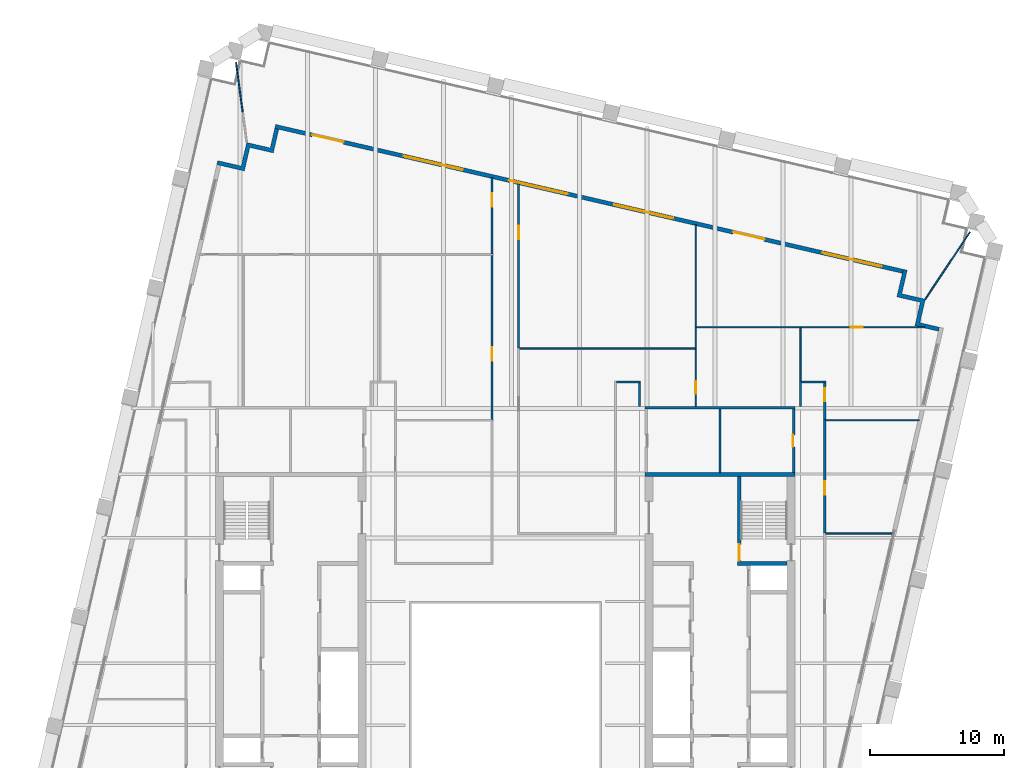
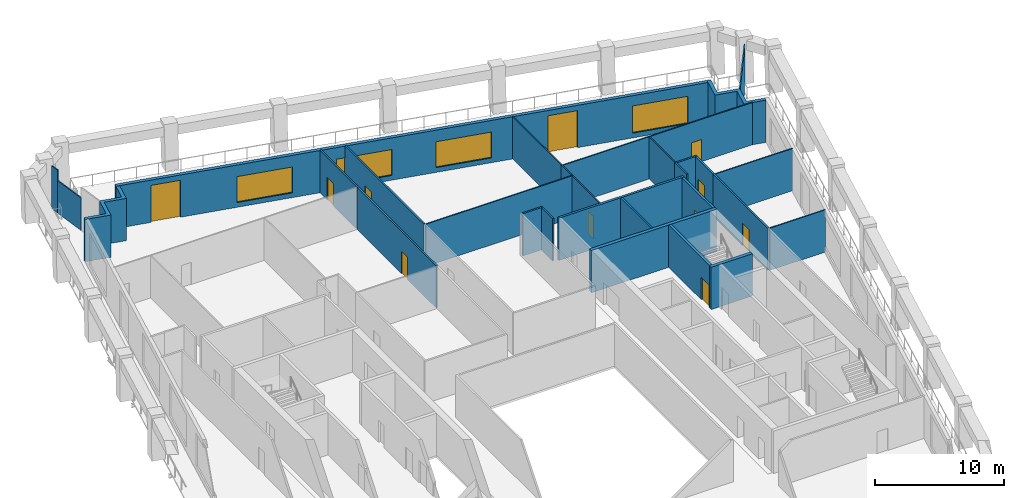
# One storey, part 7 of 10: 30 walls, 11 doors, 4 windows, 15 openings.
"""IFC4 building model written with IfcOpenShell, lengths in metres."""

from ifc_helpers import new_model, si_unit, direction, frame, frame_2d, origin, place, context, subcontext, project, spatial, polyline, rectangle, outline, extrude, material, layer, layer_set, type_object, element, fill, save


model = new_model("IFC4")

# Units and contexts
model_context = context("Model", 3, precision=1e-05, world=origin(), true_north=direction((0.0, 1.0)))
body_context = subcontext(model_context, "Body", "Model", "MODEL_VIEW")
ifc_project = project(units=[si_unit("LENGTHUNIT", "METRE"), si_unit("AREAUNIT", "SQUARE_METRE"), si_unit("VOLUMEUNIT", "CUBIC_METRE"), si_unit("PLANEANGLEUNIT", "RADIAN"), si_unit("MASSUNIT", "GRAM", prefix="KILO")], contexts=[model_context])

# Site, building, storey
site_placement = place(None, origin())
site = spatial("IfcSite", under=ifc_project, at=site_placement, CompositionType="ELEMENT")
building_placement = place(site_placement, origin())
building = spatial("IfcBuilding", under=site, at=building_placement, Name="Ogive Exchange Tower", CompositionType="ELEMENT")
storey_placement = place(building_placement, frame((0.0, 0.0, 280.800048828125)))
storey = spatial("IfcBuildingStorey", under=building, at=storey_placement, Name="L61", CompositionType="ELEMENT", Elevation=280.800048828125)

# Wall
ifc_material_1 = material(Name="Gypsum board partition")
ifc_layer_1 = layer(ifc_material_1, 0.14990234375)
ifc_layer_set_1 = layer_set([ifc_layer_1], Name="Core room partition 150 gypsum")
wall_type_1 = type_object("IfcWallType", Name="Core room partition 150 gypsum", PredefinedType="PARTITIONING", material=ifc_layer_set_1)
wall_1_placement = place(storey_placement, frame((16.0, 25.75, 0.0), z_axis=(0.0, 0.0, 1.0), x_axis=(0.0, 1.0, 0.0)))
element("IfcWall", 1, at=wall_1_placement, inside=storey, type_object=wall_type_1, Name="E annex N column wall", PredefinedType="PARTITIONING", context=body_context, shape_type="SweptSolid", body=[
    extrude(rectangle(XDim=4.75, YDim=0.14990234375, at=frame_2d((2.375, 0.0))), origin(), (0.0, 0.0, 1.0), 4.0),
])

# Wall, opening, door
ifc_material_2 = material(Name="Fire partition EI 60 150")
ifc_layer_2 = layer(ifc_material_2, 0.14990234375)
ifc_layer_set_2 = layer_set([ifc_layer_2], Name="Fire partition EI 60 150")
wall_type_2 = type_object("IfcWallType", Name="Fire partition EI 60 150", PredefinedType="PARTITIONING", material=ifc_layer_set_2)
wall_2_placement = place(storey_placement, frame((-0.989990234375, 29.7099609375, 0.0), z_axis=(0.0, 0.0, 1.0), x_axis=(0.0, 1.0, 0.0)))
wall_2 = element("IfcWall", 2, at=wall_2_placement, inside=storey, type_object=wall_type_2, Name="L61-PWL-025", PredefinedType="PARTITIONING", context=body_context, shape_type="SweptSolid", body=[
    extrude(rectangle(XDim=12.239990234375, YDim=0.14990234375, at=frame_2d((6.1201171875, 0.0))), origin(), (0.0, 0.0, 1.0), 4.0),
])
opening_1_placement = place(wall_2_placement, frame((4.389892578125, 0.0, 0.0)))
opening_1 = element("IfcOpeningElement", 3, at=opening_1_placement, cuts=wall_2, Name="Opening L61-I12", PredefinedType="OPENING", context=body_context, shape_type="SweptSolid", body=[
    extrude(rectangle(XDim=1.0, YDim=2.10009765625, at=frame_2d((0.5, 1.050048828125))), frame((0.0, 0.0849609375, 0.0), z_axis=(0.0, -1.0, 0.0), x_axis=(1.0, 0.0, 0.0)), (0.0, 0.0, 1.0), 0.169921875),
])
ifc_material_3 = material(Name="Fire door FD 30S 1000 x 2100")
door_type_1 = type_object("IfcDoorType", Name="Fire door FD 30S 1000 x 2100", OperationType="NOTDEFINED", PredefinedType="DOOR", material=ifc_material_3)
door_1_placement = place(opening_1_placement, origin())
door_1 = element("IfcDoor", 4, at=door_1_placement, inside=storey, type_object=door_type_1, Name="L61-IDR-012", ObjectType="DT3", OperationType="SINGLE_SWING_LEFT", OverallHeight=2.10009765625, OverallWidth=1.0, PredefinedType="DOOR", context=body_context, shape_type="SweptSolid", body=[
    extrude(rectangle(XDim=1.0, YDim=2.10009765625, at=frame_2d((0.5, 1.050048828125))), frame((0.0, 0.02490234375, 0.0), z_axis=(0.0, -1.0, 0.0), x_axis=(1.0, 0.0, 0.0)), (0.0, 0.0, 1.0), 0.050048828125),
])
fill(opening_1, door_1)

wall_3_placement = place(storey_placement, frame((-0.989990234375, 42.050048828125, 0.0), z_axis=(0.0, 0.0, 1.0), x_axis=(0.0, 1.0, 0.0)))
wall_3 = element("IfcWall", 5, at=wall_3_placement, inside=storey, type_object=wall_type_2, Name="L61-PWL-026", PredefinedType="PARTITIONING", context=body_context, shape_type="SweptSolid", body=[
    extrude(rectangle(XDim=5.702880859375, YDim=0.14990234375, at=frame_2d((2.8515625, 0.0))), origin(), (0.0, 0.0, 1.0), 4.0),
])
opening_2_placement = place(wall_3_placement, frame((3.530029296875, 0.0, 0.0)))
opening_2 = element("IfcOpeningElement", 6, at=opening_2_placement, cuts=wall_3, Name="Opening L61-I13", PredefinedType="OPENING", context=body_context, shape_type="SweptSolid", body=[
    extrude(rectangle(XDim=1.0, YDim=2.10009765625, at=frame_2d((0.5, 1.050048828125))), frame((0.0, 0.0849609375, 0.0), z_axis=(0.0, -1.0, 0.0), x_axis=(1.0, 0.0, 0.0)), (0.0, 0.0, 1.0), 0.169921875),
])
door_2_placement = place(opening_2_placement, origin())
door_2 = element("IfcDoor", 7, at=door_2_placement, inside=storey, type_object=door_type_1, Name="L61-IDR-013", ObjectType="DT3", OperationType="SINGLE_SWING_LEFT", OverallHeight=2.10009765625, OverallWidth=1.0, PredefinedType="DOOR", context=body_context, shape_type="SweptSolid", body=[
    extrude(rectangle(XDim=1.0, YDim=2.10009765625, at=frame_2d((0.5, 1.050048828125))), frame((0.0, 0.02490234375, 0.0), z_axis=(0.0, -1.0, 0.0), x_axis=(1.0, 0.0, 0.0)), (0.0, 0.0, 1.0), 0.050048828125),
])
fill(opening_2, door_2)

wall_4_placement = place(storey_placement, frame((0.989990234375, 47.2958984375, 0.0), z_axis=(0.0, 0.0, 1.0), x_axis=(0.0, -1.0, 0.0)))
wall_4 = element("IfcWall", 8, at=wall_4_placement, inside=storey, type_object=wall_type_2, Name="L61-PWL-030", PredefinedType="PARTITIONING", context=body_context, shape_type="SweptSolid", body=[
    extrude(rectangle(XDim=12.245849609375, YDim=0.14990234375, at=frame_2d((6.123046875, 0.0))), origin(), (0.0, 0.0, 1.0), 4.0),
])
opening_3_placement = place(wall_4_placement, frame((3.14599609375, 0.0, 0.0)))
opening_3 = element("IfcOpeningElement", 9, at=opening_3_placement, cuts=wall_4, Name="Opening L61-I03", PredefinedType="OPENING", context=body_context, shape_type="SweptSolid", body=[
    extrude(rectangle(XDim=1.0, YDim=2.10009765625, at=frame_2d((0.5, 1.050048828125))), frame((0.0, 0.0849609375, 0.0), z_axis=(0.0, -1.0, 0.0), x_axis=(1.0, 0.0, 0.0)), (0.0, 0.0, 1.0), 0.169921875),
])
door_3_placement = place(opening_3_placement, origin())
door_3 = element("IfcDoor", 10, at=door_3_placement, inside=storey, type_object=door_type_1, Name="L61-IDR-003", ObjectType="DT3", OperationType="SINGLE_SWING_RIGHT", OverallHeight=2.10009765625, OverallWidth=1.0, PredefinedType="DOOR", context=body_context, shape_type="SweptSolid", body=[
    extrude(rectangle(XDim=1.0, YDim=2.10009765625, at=frame_2d((0.5, 1.050048828125))), frame((0.0, 0.02490234375, 0.0), z_axis=(0.0, -1.0, 0.0), x_axis=(1.0, 0.0, 0.0)), (0.0, 0.0, 1.0), 0.050048828125),
])
fill(opening_3, door_3)

# Walls
wall_5_placement = place(storey_placement, frame((8.27490234375, 32.5, 0.0), z_axis=(0.0, 0.0, 1.0), x_axis=(1.0, 0.0, 0.0)))
element("IfcWall", 11, at=wall_5_placement, inside=storey, type_object=wall_type_2, Name="L61-PWL-032", PredefinedType="PARTITIONING", context=body_context, shape_type="SweptSolid", body=[
    extrude(rectangle(XDim=1.800048828125, YDim=0.14990234375, at=frame_2d((0.89990234375, 0.0))), origin(), (0.0, 0.0, 1.0), 4.0),
])
wall_6_placement = place(storey_placement, frame((10.0, 32.425048828125, 0.0), z_axis=(0.0, 0.0, 1.0), x_axis=(0.0, -1.0, 0.0)))
element("IfcWall", 12, at=wall_6_placement, inside=storey, type_object=wall_type_2, Name="L61-PWL-035", PredefinedType="PARTITIONING", context=body_context, shape_type="SweptSolid", body=[
    extrude(rectangle(XDim=1.72509765625, YDim=0.14990234375, at=frame_2d((0.862548828125, 0.0))), origin(), (0.0, 0.0, 1.0), 4.0),
])
wall_7_placement = place(storey_placement, frame((22.0, 30.699951171875, 0.0), z_axis=(0.0, 0.0, 1.0), x_axis=(0.0, 1.0, 0.0)))
element("IfcWall", 13, at=wall_7_placement, inside=storey, type_object=wall_type_2, Name="L61-PWL-041", PredefinedType="PARTITIONING", context=body_context, shape_type="SweptSolid", body=[
    extrude(rectangle(XDim=1.875, YDim=0.14990234375, at=frame_2d((0.9375, 0.0))), origin(), (0.0, 0.0, 1.0), 4.0),
])
wall_8_placement = place(storey_placement, frame((22.074951171875, 32.5, 0.0), z_axis=(0.0, 0.0, 1.0), x_axis=(1.0, 0.0, 0.0)))
element("IfcWall", 14, at=wall_8_placement, inside=storey, type_object=wall_type_2, Name="L61-PWL-042", PredefinedType="PARTITIONING", context=body_context, shape_type="SweptSolid", body=[
    extrude(rectangle(XDim=1.800048828125, YDim=0.14990234375, at=frame_2d((0.89990234375, 0.0))), origin(), (0.0, 0.0, 1.0), 4.0),
])

# Wall, opening, door
wall_9_placement = place(storey_placement, frame((23.800048828125, 29.7099609375, 0.0), z_axis=(0.0, 0.0, 1.0), x_axis=(0.0, -1.0, 0.0)))
wall_9 = element("IfcWall", 15, at=wall_9_placement, inside=storey, type_object=wall_type_2, Name="L61-PWL-049", PredefinedType="PARTITIONING", context=body_context, shape_type="SweptSolid", body=[
    extrude(rectangle(XDim=8.449951171875, YDim=0.14990234375, at=frame_2d((4.22509765625, 0.0))), origin(), (0.0, 0.0, 1.0), 4.0),
])
opening_4_placement = place(wall_9_placement, frame((4.60009765625, 0.0, 0.0)))
opening_4 = element("IfcOpeningElement", 16, at=opening_4_placement, cuts=wall_9, Name="Opening L61-I06", PredefinedType="OPENING", context=body_context, shape_type="SweptSolid", body=[
    extrude(rectangle(XDim=1.0, YDim=2.10009765625, at=frame_2d((0.5, 1.050048828125))), frame((0.0, 0.0849609375, 0.0), z_axis=(0.0, -1.0, 0.0), x_axis=(1.0, 0.0, 0.0)), (0.0, 0.0, 1.0), 0.169921875),
])
door_4_placement = place(opening_4_placement, origin())
door_4 = element("IfcDoor", 17, at=door_4_placement, inside=storey, type_object=door_type_1, Name="L61-IDR-006", ObjectType="DT3", OperationType="SINGLE_SWING_LEFT", OverallHeight=2.10009765625, OverallWidth=1.0, PredefinedType="DOOR", context=body_context, shape_type="SweptSolid", body=[
    extrude(rectangle(XDim=1.0, YDim=2.10009765625, at=frame_2d((0.5, 1.050048828125))), frame((0.0, 0.02490234375, 0.0), z_axis=(0.0, -1.0, 0.0), x_axis=(1.0, 0.0, 0.0)), (0.0, 0.0, 1.0), 0.050048828125),
])
fill(opening_4, door_4)

wall_10_placement = place(storey_placement, frame((23.800048828125, 32.425048828125, 0.0), z_axis=(0.0, 0.0, 1.0), x_axis=(0.0, -1.0, 0.0)))
wall_10 = element("IfcWall", 18, at=wall_10_placement, inside=storey, type_object=wall_type_2, Name="L61-PWL-051", PredefinedType="PARTITIONING", context=body_context, shape_type="SweptSolid", body=[
    extrude(rectangle(XDim=2.715087890625, YDim=0.14990234375, at=frame_2d((1.357421875, 0.0))), origin(), (0.0, 0.0, 1.0), 4.0),
])
opening_5_placement = place(wall_10_placement, frame((0.364990234375, 0.0, 0.0)))
opening_5 = element("IfcOpeningElement", 19, at=opening_5_placement, cuts=wall_10, Name="Opening L61-I07", PredefinedType="OPENING", context=body_context, shape_type="SweptSolid", body=[
    extrude(rectangle(XDim=1.0, YDim=2.10009765625, at=frame_2d((0.5, 1.050048828125))), frame((0.0, 0.0849609375, 0.0), z_axis=(0.0, -1.0, 0.0), x_axis=(1.0, 0.0, 0.0)), (0.0, 0.0, 1.0), 0.169921875),
])
door_5_placement = place(opening_5_placement, origin())
door_5 = element("IfcDoor", 20, at=door_5_placement, inside=storey, type_object=door_type_1, Name="L61-IDR-007", ObjectType="DT3", OperationType="SINGLE_SWING_LEFT", OverallHeight=2.10009765625, OverallWidth=1.0, PredefinedType="DOOR", context=body_context, shape_type="SweptSolid", body=[
    extrude(rectangle(XDim=1.0, YDim=2.10009765625, at=frame_2d((0.5, 1.050048828125))), frame((0.0, 0.02490234375, 0.0), z_axis=(0.0, -1.0, 0.0), x_axis=(1.0, 0.0, 0.0)), (0.0, 0.0, 1.0), 0.050048828125),
])
fill(opening_5, door_5)

# Wall, openings, doors, windows
ifc_material_4 = material(Name="Precast concrete C40/50", Category="concrete")
ifc_layer_3 = layer(ifc_material_4, 0.300048828125)
ifc_layer_set_3 = layer_set([ifc_layer_3], Name="Limestone-faced wall 300")
wall_type_3 = type_object("IfcWallType", Name="Limestone-faced wall 300", PredefinedType="STANDARD", material=ifc_layer_set_3)
wall_11_placement = place(storey_placement, frame((29.6162109375, 40.75830078125, 0.0), z_axis=(0.0, 0.0, 1.0), x_axis=(-0.974370532314, 0.224949029246, 0.0)))
wall_11 = element("IfcWall", 21, at=wall_11_placement, inside=storey, type_object=wall_type_3, Name="External wall N3", PredefinedType="STANDARD", context=body_context, shape_type="SweptSolid", body=[
    extrude(rectangle(XDim=48.000244140625, YDim=0.300048828125, at=frame_2d((24.0, 0.0))), origin(), (0.0, 0.0, 1.0), 4.0),
])
opening_6_placement = place(wall_11_placement, frame((1.625, 0.0, 0.449951171875)))
opening_6 = element("IfcOpeningElement", 22, at=opening_6_placement, cuts=wall_11, Name="Opening W1M", PredefinedType="OPENING", context=body_context, shape_type="SweptSolid", body=[
    extrude(rectangle(XDim=4.5, YDim=2.574951171875, at=frame_2d((2.25, 1.28759765625))), frame((0.0, 0.159912109375, 0.0), z_axis=(0.0, -1.0, 0.0), x_axis=(1.0, 0.0, 0.0)), (0.0, 0.0, 1.0), 0.320068359375),
])
opening_7_placement = place(wall_11_placement, frame((10.574951171875, 0.0, 0.0)))
opening_7 = element("IfcOpeningElement", 23, at=opening_7_placement, cuts=wall_11, Name="Opening D1", PredefinedType="OPENING", context=body_context, shape_type="SweptSolid", body=[
    extrude(rectangle(XDim=2.39990234375, YDim=3.5, at=frame_2d((1.199951171875, 1.75))), frame((0.0, 0.159912109375, 0.0), z_axis=(0.0, -1.0, 0.0), x_axis=(1.0, 0.0, 0.0)), (0.0, 0.0, 1.0), 0.320068359375),
])
opening_8_placement = place(wall_11_placement, frame((17.574951171875, 0.0, 0.449951171875)))
opening_8 = element("IfcOpeningElement", 24, at=opening_8_placement, cuts=wall_11, Name="Opening W1Q", PredefinedType="OPENING", context=body_context, shape_type="SweptSolid", body=[
    extrude(rectangle(XDim=4.5, YDim=2.449951171875, at=frame_2d((2.25, 1.22509765625))), frame((0.0, 0.159912109375, 0.0), z_axis=(0.0, -1.0, 0.0), x_axis=(1.0, 0.0, 0.0)), (0.0, 0.0, 1.0), 0.320068359375),
])
opening_9_placement = place(wall_11_placement, frame((25.625, 0.0, 0.449951171875)))
opening_9 = element("IfcOpeningElement", 25, at=opening_9_placement, cuts=wall_11, Name="Opening W1Q", PredefinedType="OPENING", context=body_context, shape_type="SweptSolid", body=[
    extrude(rectangle(XDim=4.5, YDim=2.449951171875, at=frame_2d((2.25, 1.22509765625))), frame((0.0, 0.159912109375, 0.0), z_axis=(0.0, -1.0, 0.0), x_axis=(1.0, 0.0, 0.0)), (0.0, 0.0, 1.0), 0.320068359375),
])
opening_10_placement = place(wall_11_placement, frame((33.675048828125, 0.0, 0.449951171875)))
opening_10 = element("IfcOpeningElement", 26, at=opening_10_placement, cuts=wall_11, Name="Opening W1Q", PredefinedType="OPENING", context=body_context, shape_type="SweptSolid", body=[
    extrude(rectangle(XDim=4.5, YDim=2.449951171875, at=frame_2d((2.25, 1.22509765625))), frame((0.0, 0.159912109375, 0.0), z_axis=(0.0, -1.0, 0.0), x_axis=(1.0, 0.0, 0.0)), (0.0, 0.0, 1.0), 0.320068359375),
])
opening_11_placement = place(wall_11_placement, frame((42.77490234375, 0.0, 0.0)))
opening_11 = element("IfcOpeningElement", 27, at=opening_11_placement, cuts=wall_11, Name="Opening D1", PredefinedType="OPENING", context=body_context, shape_type="SweptSolid", body=[
    extrude(rectangle(XDim=2.39990234375, YDim=3.5, at=frame_2d((1.199951171875, 1.75))), frame((0.0, 0.159912109375, 0.0), z_axis=(0.0, -1.0, 0.0), x_axis=(1.0, 0.0, 0.0)), (0.0, 0.0, 1.0), 0.320068359375),
])
ifc_material_5 = material(Name="Clear glass in bronze frame", Category="glass")
door_type_2 = type_object("IfcDoorType", Name="Sliding loggia door 2400 x 3500", OperationType="DOUBLE_DOOR_SLIDING", PredefinedType="DOOR", material=ifc_material_5)
door_6_placement = place(opening_7_placement, origin())
door_6 = element("IfcDoor", 28, at=door_6_placement, inside=storey, type_object=door_type_2, Name="Loggia door N01", OperationType="DOUBLE_DOOR_SLIDING", OverallHeight=3.5, OverallWidth=2.39990234375, PredefinedType="DOOR", context=body_context, shape_type="SweptSolid", body=[
    extrude(rectangle(XDim=2.39990234375, YDim=3.5, at=frame_2d((1.199951171875, 1.75))), frame((0.0, 0.02490234375, 0.0), z_axis=(0.0, -1.0, 0.0), x_axis=(1.0, 0.0, 0.0)), (0.0, 0.0, 1.0), 0.050048828125),
])
fill(opening_7, door_6)
door_7_placement = place(opening_11_placement, origin())
door_7 = element("IfcDoor", 29, at=door_7_placement, inside=storey, type_object=door_type_2, Name="Loggia door N05", OperationType="DOUBLE_DOOR_SLIDING", OverallHeight=3.5, OverallWidth=2.39990234375, PredefinedType="DOOR", context=body_context, shape_type="SweptSolid", body=[
    extrude(rectangle(XDim=2.39990234375, YDim=3.5, at=frame_2d((1.199951171875, 1.75))), frame((0.0, 0.02490234375, 0.0), z_axis=(0.0, -1.0, 0.0), x_axis=(1.0, 0.0, 0.0)), (0.0, 0.0, 1.0), 0.050048828125),
])
fill(opening_11, door_7)
window_type_1 = type_object("IfcWindowType", Name="Twin lancet window 4500 x 2450", PartitioningType="DOUBLE_PANEL_VERTICAL", PredefinedType="WINDOW", material=ifc_material_5)
window_1_placement = place(opening_8_placement, origin())
window_1 = element("IfcWindow", 30, at=window_1_placement, inside=storey, type_object=window_type_1, Name="Window N02", OverallHeight=2.449951171875, OverallWidth=4.5, PartitioningType="DOUBLE_PANEL_VERTICAL", PredefinedType="WINDOW", context=body_context, shape_type="SweptSolid", body=[
    extrude(rectangle(XDim=4.5, YDim=2.449951171875, at=frame_2d((2.25, 1.22509765625))), frame((0.0, 0.030029296875, 0.0), z_axis=(0.0, -1.0, 0.0), x_axis=(1.0, 0.0, 0.0)), (0.0, 0.0, 1.0), 0.06005859375),
])
fill(opening_8, window_1)
window_2_placement = place(opening_9_placement, origin())
window_2 = element("IfcWindow", 31, at=window_2_placement, inside=storey, type_object=window_type_1, Name="Window N03", OverallHeight=2.449951171875, OverallWidth=4.5, PartitioningType="DOUBLE_PANEL_VERTICAL", PredefinedType="WINDOW", context=body_context, shape_type="SweptSolid", body=[
    extrude(rectangle(XDim=4.5, YDim=2.449951171875, at=frame_2d((2.25, 1.22509765625))), frame((0.0, 0.030029296875, 0.0), z_axis=(0.0, -1.0, 0.0), x_axis=(1.0, 0.0, 0.0)), (0.0, 0.0, 1.0), 0.06005859375),
])
fill(opening_9, window_2)
window_3_placement = place(opening_10_placement, origin())
window_3 = element("IfcWindow", 32, at=window_3_placement, inside=storey, type_object=window_type_1, Name="Window N04", OverallHeight=2.449951171875, OverallWidth=4.5, PartitioningType="DOUBLE_PANEL_VERTICAL", PredefinedType="WINDOW", context=body_context, shape_type="SweptSolid", body=[
    extrude(rectangle(XDim=4.5, YDim=2.449951171875, at=frame_2d((2.25, 1.22509765625))), frame((0.0, 0.030029296875, 0.0), z_axis=(0.0, -1.0, 0.0), x_axis=(1.0, 0.0, 0.0)), (0.0, 0.0, 1.0), 0.06005859375),
])
fill(opening_10, window_3)
window_type_2 = type_object("IfcWindowType", Name="Twin lancet window 4500 x 2575", PartitioningType="DOUBLE_PANEL_VERTICAL", PredefinedType="WINDOW", material=ifc_material_5)
window_4_placement = place(opening_6_placement, origin())
window_4 = element("IfcWindow", 33, at=window_4_placement, inside=storey, type_object=window_type_2, Name="Window N00", OverallHeight=2.574951171875, OverallWidth=4.5, PartitioningType="DOUBLE_PANEL_VERTICAL", PredefinedType="WINDOW", context=body_context, shape_type="SweptSolid", body=[
    extrude(rectangle(XDim=4.5, YDim=2.574951171875, at=frame_2d((2.25, 1.28759765625))), frame((0.0, 0.030029296875, 0.0), z_axis=(0.0, -1.0, 0.0), x_axis=(1.0, 0.0, 0.0)), (0.0, 0.0, 1.0), 0.06005859375),
])
fill(opening_6, window_4)

# Walls
wall_12_placement = place(storey_placement, origin())
element("IfcWall", 34, at=wall_12_placement, inside=storey, type_object=wall_type_3, Name="External corner wall C2", PredefinedType="STANDARD", context=body_context, shape_type="SweptSolid", body=[
    extrude(outline(polyline([(30.931396484375, 38.453369140625), (29.177490234375, 38.8583984375), (29.64990234375, 40.904541015625), (29.942138671875, 40.8369140625), (29.537109375, 39.0830078125), (31.291015625, 38.67822265625), (30.88623046875, 36.92431640625), (32.34765625, 36.5869140625), (32.2802734375, 36.294677734375), (30.5263671875, 36.699462890625), (30.931396484375, 38.453369140625)])), origin(), (0.0, 0.0, 1.0), 4.0),
])
wall_13_placement = place(storey_placement, origin())
element("IfcWall", 35, at=wall_13_placement, inside=storey, type_object=wall_type_3, Name="External corner wall C3", PredefinedType="STANDARD", context=body_context, shape_type="SweptSolid", body=[
    extrude(outline(polyline([(-21.5048828125, 48.7119140625), (-21.4375, 49.004150390625), (-19.68359375, 48.599365234375), (-19.27880859375, 50.353271484375), (-17.52490234375, 49.9482421875), (-17.1875, 51.409912109375), (-16.89501953125, 51.34228515625), (-17.300048828125, 49.58837890625), (-19.053955078125, 49.993408203125), (-19.458740234375, 48.239501953125), (-21.5048828125, 48.7119140625)])), origin(), (0.0, 0.0, 1.0), 4.0),
])
ifc_material_6 = material(Name="Laminated safety glass in steel frame", Category="steel")
ifc_layer_4 = layer(ifc_material_6, 0.10009765625)
ifc_layer_set_4 = layer_set([ifc_layer_4], Name="Loggia end screen 100")
wall_type_4 = type_object("IfcWallType", Name="Loggia end screen 100", PredefinedType="STANDARD", material=ifc_layer_set_4)
wall_14_placement = place(storey_placement, frame((31.291015625, 38.67822265625, -0.050048828125), z_axis=(0.0, 0.0, 1.0), x_axis=(0.553539236387, 0.832823098731, 0.0)))
element("IfcWall", 36, at=wall_14_placement, inside=storey, type_object=wall_type_4, Name="Loggia end screen C2", PredefinedType="STANDARD", context=body_context, shape_type="SweptSolid", body=[
    extrude(rectangle(XDim=6.020263671875, YDim=0.10009765625, at=frame_2d((3.01025390625, 0.0))), origin(), (0.0, 0.0, 1.0), 4.050048828125),
])
wall_15_placement = place(storey_placement, frame((-19.577880859375, 52.5927734375, -0.050048828125), z_axis=(0.0, 0.0, 1.0), x_axis=(-0.132444936744, 0.991190364527, 0.0)))
element("IfcWall", 37, at=wall_15_placement, inside=storey, type_object=wall_type_4, Name="Loggia end screen C3", PredefinedType="STANDARD", context=body_context, shape_type="SweptSolid", body=[
    extrude(rectangle(XDim=3.013916015625, YDim=0.10009765625, at=frame_2d((1.5068359375, 0.0))), origin(), (0.0, 0.0, 1.0), 3.070068359375),
])
wall_16_placement = place(storey_placement, frame((-19.97705078125, 55.580078125, -0.050048828125), z_axis=(0.0, 0.0, 1.0), x_axis=(-0.132356376075, 0.991202194162, 0.0)))
element("IfcWall", 38, at=wall_16_placement, inside=storey, type_object=wall_type_4, Name="Loggia end screen C3", PredefinedType="STANDARD", context=body_context, shape_type="SweptSolid", body=[
    extrude(rectangle(XDim=0.7470703125, YDim=0.10009765625, at=frame_2d((0.37353515625, 0.0))), origin(), (0.0, 0.0, 1.0), 4.050048828125),
])
ifc_material_7 = material(Name="Partition 100 gypsum")
ifc_layer_5 = layer(ifc_material_7, 0.10009765625)
ifc_layer_set_5 = layer_set([ifc_layer_5], Name="Partition 100 gypsum")
wall_type_5 = type_object("IfcWallType", Name="Partition 100 gypsum", PredefinedType="PARTITIONING", material=ifc_layer_set_5)
wall_17_placement = place(storey_placement, frame((14.239990234375, 35.0, 0.0), z_axis=(0.0, 0.0, 1.0), x_axis=(-1.0, 0.0, 0.0)))
element("IfcWall", 39, at=wall_17_placement, inside=storey, type_object=wall_type_5, Name="L61-PWL-036", PredefinedType="PARTITIONING", context=body_context, shape_type="SweptSolid", body=[
    extrude(rectangle(XDim=13.175048828125, YDim=0.10009765625, at=frame_2d((6.58740234375, 0.0))), origin(), (0.0, 0.0, 1.0), 4.0),
])

# Wall, opening, door
wall_18_placement = place(storey_placement, frame((14.18994140625, 34.949951171875, 0.0), z_axis=(0.0, 0.0, 1.0), x_axis=(0.0, -1.0, 0.0)))
wall_18 = element("IfcWall", 40, at=wall_18_placement, inside=storey, type_object=wall_type_5, Name="L61-PWL-037", PredefinedType="PARTITIONING", context=body_context, shape_type="SweptSolid", body=[
    extrude(rectangle(XDim=4.25, YDim=0.10009765625, at=frame_2d((2.125, 0.0))), origin(), (0.0, 0.0, 1.0), 4.0),
])
opening_12_placement = place(wall_18_placement, frame((2.39990234375, 0.0, 0.0)))
opening_12 = element("IfcOpeningElement", 41, at=opening_12_placement, cuts=wall_18, Name="Opening L61-I05", PredefinedType="OPENING", context=body_context, shape_type="SweptSolid", body=[
    extrude(rectangle(XDim=0.89990234375, YDim=2.10009765625, at=frame_2d((0.449951171875, 1.050048828125))), frame((0.0, 0.06005859375, 0.0), z_axis=(0.0, -1.0, 0.0), x_axis=(1.0, 0.0, 0.0)), (0.0, 0.0, 1.0), 0.1201171875),
])
ifc_material_8 = material(Name="Door 900 x 2100")
door_type_3 = type_object("IfcDoorType", Name="Door 900 x 2100", OperationType="NOTDEFINED", PredefinedType="DOOR", material=ifc_material_8)
door_8_placement = place(opening_12_placement, origin())
door_8 = element("IfcDoor", 42, at=door_8_placement, inside=storey, type_object=door_type_3, Name="L61-IDR-005", ObjectType="DT1", OperationType="SINGLE_SWING_LEFT", OverallHeight=2.10009765625, OverallWidth=0.89990234375, PredefinedType="DOOR", context=body_context, shape_type="SweptSolid", body=[
    extrude(rectangle(XDim=0.89990234375, YDim=2.10009765625, at=frame_2d((0.449951171875, 1.050048828125))), frame((0.0, 0.02490234375, 0.0), z_axis=(0.0, -1.0, 0.0), x_axis=(1.0, 0.0, 0.0)), (0.0, 0.0, 1.0), 0.050048828125),
])
fill(opening_12, door_8)

# Walls
wall_19_placement = place(storey_placement, frame((14.18994140625, 36.639892578125, 0.0), z_axis=(0.0, 0.0, 1.0), x_axis=(0.0, -1.0, 0.0)))
element("IfcWall", 43, at=wall_19_placement, inside=storey, type_object=wall_type_5, Name="L61-PWL-038", PredefinedType="PARTITIONING", context=body_context, shape_type="SweptSolid", body=[
    extrude(rectangle(XDim=1.58984375, YDim=0.10009765625, at=frame_2d((0.794921875, 0.0))), origin(), (0.0, 0.0, 1.0), 4.0),
])
wall_20_placement = place(storey_placement, frame((14.239990234375, 36.590087890625, 0.0), z_axis=(0.0, 0.0, 1.0), x_axis=(1.0, 0.0, 0.0)))
element("IfcWall", 44, at=wall_20_placement, inside=storey, type_object=wall_type_5, Name="L61-PWL-039", PredefinedType="PARTITIONING", context=body_context, shape_type="SweptSolid", body=[
    extrude(rectangle(XDim=7.760009765625, YDim=0.10009765625, at=frame_2d((3.8798828125, 0.0))), origin(), (0.0, 0.0, 1.0), 4.0),
])
wall_21_placement = place(storey_placement, frame((14.18994140625, 44.248046875, 0.0), z_axis=(0.0, 0.0, 1.0), x_axis=(0.0, -1.0, 0.0)))
element("IfcWall", 45, at=wall_21_placement, inside=storey, type_object=wall_type_5, Name="L61-PWL-040", PredefinedType="PARTITIONING", context=body_context, shape_type="SweptSolid", body=[
    extrude(rectangle(XDim=7.657958984375, YDim=0.10009765625, at=frame_2d((3.8291015625, 0.0))), origin(), (0.0, 0.0, 1.0), 4.0),
])
wall_22_placement = place(storey_placement, frame((22.0, 36.5400390625, 0.0), z_axis=(0.0, 0.0, 1.0), x_axis=(0.0, -1.0, 0.0)))
element("IfcWall", 46, at=wall_22_placement, inside=storey, type_object=wall_type_5, Name="L61-PWL-043", PredefinedType="PARTITIONING", context=body_context, shape_type="SweptSolid", body=[
    extrude(rectangle(XDim=3.965087890625, YDim=0.10009765625, at=frame_2d((1.982421875, 0.0))), origin(), (0.0, 0.0, 1.0), 4.0),
])

# Wall, opening, door
wall_23_placement = place(storey_placement, frame((22.0, 36.590087890625, 0.0), z_axis=(0.0, 0.0, 1.0), x_axis=(1.0, 0.0, 0.0)))
wall_23 = element("IfcWall", 47, at=wall_23_placement, inside=storey, type_object=wall_type_5, Name="L61-PWL-044", PredefinedType="PARTITIONING", context=body_context, shape_type="SweptSolid", body=[
    extrude(rectangle(XDim=9.2451171875, YDim=0.10009765625, at=frame_2d((4.62255859375, 0.0))), origin(), (0.0, 0.0, 1.0), 4.0),
])
opening_13_placement = place(wall_23_placement, frame((3.75, 0.0, 0.0)))
opening_13 = element("IfcOpeningElement", 48, at=opening_13_placement, cuts=wall_23, Name="Opening L61-I08", PredefinedType="OPENING", context=body_context, shape_type="SweptSolid", body=[
    extrude(rectangle(XDim=0.89990234375, YDim=2.10009765625, at=frame_2d((0.449951171875, 1.050048828125))), frame((0.0, 0.06005859375, 0.0), z_axis=(0.0, -1.0, 0.0), x_axis=(1.0, 0.0, 0.0)), (0.0, 0.0, 1.0), 0.1201171875),
])
door_9_placement = place(opening_13_placement, frame((0.89990234375, 0.0, 0.0), z_axis=(0.0, 0.0, 1.0), x_axis=(-1.0, 0.0, 0.0)))
door_9 = element("IfcDoor", 49, at=door_9_placement, inside=storey, type_object=door_type_3, Name="L61-IDR-008", ObjectType="DT1", OperationType="SINGLE_SWING_LEFT", OverallHeight=2.10009765625, OverallWidth=0.89990234375, PredefinedType="DOOR", context=body_context, shape_type="SweptSolid", body=[
    extrude(rectangle(XDim=0.89990234375, YDim=2.10009765625, at=frame_2d((0.449951171875, 1.050048828125))), frame((0.0, 0.02490234375, 0.0), z_axis=(0.0, -1.0, 0.0), x_axis=(1.0, 0.0, 0.0)), (0.0, 0.0, 1.0), 0.050048828125),
])
fill(opening_13, door_9)

# Walls
wall_24_placement = place(storey_placement, frame((23.875, 21.2099609375, 0.0), z_axis=(0.0, 0.0, 1.0), x_axis=(1.0, 0.0, 0.0)))
element("IfcWall", 50, at=wall_24_placement, inside=storey, type_object=wall_type_5, Name="L61-PWL-048", PredefinedType="PARTITIONING", context=body_context, shape_type="SweptSolid", body=[
    extrude(rectangle(XDim=5.0048828125, YDim=0.10009765625, at=frame_2d((2.50244140625, 0.0))), origin(), (0.0, 0.0, 1.0), 4.0),
])
wall_25_placement = place(storey_placement, frame((23.875, 29.659912109375, 0.0), z_axis=(0.0, 0.0, 1.0), x_axis=(1.0, 0.0, 0.0)))
element("IfcWall", 51, at=wall_25_placement, inside=storey, type_object=wall_type_5, Name="L61-PWL-050", PredefinedType="PARTITIONING", context=body_context, shape_type="SweptSolid", body=[
    extrude(rectangle(XDim=6.9560546875, YDim=0.10009765625, at=frame_2d((3.47802734375, 0.0))), origin(), (0.0, 0.0, 1.0), 4.0),
])

# Wall, opening, door
ifc_material_9 = material(Name="Concrete C70/85", Category="concrete")
ifc_layer_6 = layer(ifc_material_9, 0.199951171875)
ifc_layer_set_6 = layer_set([ifc_layer_6], Name="RC core wall 200 C70/85")
wall_type_6 = type_object("IfcWallType", Name="RC core wall 200 C70/85", PredefinedType="SHEAR", material=ifc_layer_set_6)
wall_26_placement = place(storey_placement, frame((21.5, 25.75, 0.0), z_axis=(0.0, 0.0, 1.0), x_axis=(0.0, 1.0, 0.0)))
wall_26 = element("IfcWall", 52, at=wall_26_placement, inside=storey, type_object=wall_type_6, Name="E annex N outer wall", PredefinedType="SHEAR", context=body_context, shape_type="SweptSolid", body=[
    extrude(rectangle(XDim=4.75, YDim=0.199951171875, at=frame_2d((2.375, 0.0))), origin(), (0.0, 0.0, 1.0), 4.0),
])
opening_14_placement = place(wall_26_placement, frame((1.925048828125, 0.0, 0.0)))
opening_14 = element("IfcOpeningElement", 53, at=opening_14_placement, cuts=wall_26, Name="Opening L61-C37", PredefinedType="OPENING", context=body_context, shape_type="SweptSolid", body=[
    extrude(rectangle(XDim=0.89990234375, YDim=2.10009765625, at=frame_2d((0.449951171875, 1.050048828125))), frame((0.0, 0.10986328125, 0.0), z_axis=(0.0, -1.0, 0.0), x_axis=(1.0, 0.0, 0.0)), (0.0, 0.0, 1.0), 0.219970703125),
])
ifc_material_10 = material(Name="Steel fire door", Category="steel")
door_type_4 = type_object("IfcDoorType", Name="Riser door FD60 900 x 2100", OperationType="NOTDEFINED", PredefinedType="DOOR", material=ifc_material_10)
door_10_placement = place(opening_14_placement, frame((0.89990234375, 0.14990234375, 0.0), z_axis=(0.0, 0.0, 1.0), x_axis=(-1.0, 0.0, 0.0)))
door_10 = element("IfcDoor", 54, at=door_10_placement, inside=storey, type_object=door_type_4, Name="Riser door", ObjectType="CD2", OperationType="SINGLE_SWING_LEFT", OverallHeight=2.10009765625, OverallWidth=0.89990234375, PredefinedType="DOOR", context=body_context, shape_type="SweptSolid", body=[
    extrude(rectangle(XDim=0.89990234375, YDim=2.10009765625, at=frame_2d((0.449951171875, 1.050048828125))), frame((0.0, 0.10009765625, 0.0), z_axis=(0.0, -1.0, 0.0), x_axis=(1.0, 0.0, 0.0)), (0.0, 0.0, 1.0), 0.050048828125),
])
fill(opening_14, door_10)

# Wall
wall_27_placement = place(storey_placement, frame((10.39990234375, 30.60009765625, 0.0), z_axis=(0.0, 0.0, 1.0), x_axis=(1.0, 0.0, 0.0)))
element("IfcWall", 55, at=wall_27_placement, inside=storey, type_object=wall_type_6, Name="E annex N end wall", PredefinedType="SHEAR", context=body_context, shape_type="SweptSolid", body=[
    extrude(rectangle(XDim=11.2001953125, YDim=0.199951171875, at=frame_2d((5.60009765625, 0.0))), origin(), (0.0, 0.0, 1.0), 4.0),
])

# Wall, opening, door
ifc_layer_7 = layer(ifc_material_9, 0.25)
ifc_layer_set_7 = layer_set([ifc_layer_7], Name="RC core wall 250 C70/85")
wall_type_7 = type_object("IfcWallType", Name="RC core wall 250 C70/85", PredefinedType="SHEAR", material=ifc_layer_set_7)
wall_28_placement = place(storey_placement, frame((17.425048828125, 19.14990234375, 0.0), z_axis=(0.0, 0.0, 1.0), x_axis=(0.0, 1.0, 0.0)))
wall_28 = element("IfcWall", 56, at=wall_28_placement, inside=storey, type_object=wall_type_7, Name="E stair N front wall", PredefinedType="SHEAR", context=body_context, shape_type="SweptSolid", body=[
    extrude(rectangle(XDim=6.300048828125, YDim=0.25, at=frame_2d((3.14990234375, 0.0))), origin(), (0.0, 0.0, 1.0), 4.0),
])
opening_15_placement = place(wall_28_placement, frame((0.050048828125, 0.0, 0.0)))
opening_15 = element("IfcOpeningElement", 57, at=opening_15_placement, cuts=wall_28, Name="Opening L61-C33", PredefinedType="OPENING", context=body_context, shape_type="SweptSolid", body=[
    extrude(rectangle(XDim=1.199951171875, YDim=2.10009765625, at=frame_2d((0.60009765625, 1.050048828125))), frame((0.0, 0.135009765625, 0.0), z_axis=(0.0, -1.0, 0.0), x_axis=(1.0, 0.0, 0.0)), (0.0, 0.0, 1.0), 0.27001953125),
])
door_type_5 = type_object("IfcDoorType", Name="Stair door FD90 1200 x 2100", OperationType="NOTDEFINED", PredefinedType="DOOR", material=ifc_material_10)
door_11_placement = place(opening_15_placement, frame((1.199951171875, 0.0, 0.0), z_axis=(0.0, 0.0, 1.0), x_axis=(-1.0, 0.0, 0.0)))
door_11 = element("IfcDoor", 58, at=door_11_placement, inside=storey, type_object=door_type_5, Name="Stair door", ObjectType="CD5", OperationType="SINGLE_SWING_LEFT", OverallHeight=2.10009765625, OverallWidth=1.199951171875, PredefinedType="DOOR", context=body_context, shape_type="SweptSolid", body=[
    extrude(rectangle(XDim=1.199951171875, YDim=2.10009765625, at=frame_2d((0.60009765625, 1.050048828125))), frame((0.0, 0.02490234375, 0.0), z_axis=(0.0, -1.0, 0.0), x_axis=(1.0, 0.0, 0.0)), (0.0, 0.0, 1.0), 0.050048828125),
])
fill(opening_15, door_11)

# Walls
ifc_layer_8 = layer(ifc_material_9, 0.300048828125)
ifc_layer_set_8 = layer_set([ifc_layer_8], Name="RC core wall 300 C70/85")
wall_type_8 = type_object("IfcWallType", Name="RC core wall 300 C70/85", PredefinedType="SHEAR", material=ifc_layer_set_8)
wall_29_placement = place(storey_placement, frame((10.39990234375, 25.60009765625, 0.0), z_axis=(0.0, 0.0, 1.0), x_axis=(1.0, 0.0, 0.0)))
element("IfcWall", 59, at=wall_29_placement, inside=storey, type_object=wall_type_8, Name="E north end wall", PredefinedType="SHEAR", context=body_context, shape_type="SweptSolid", body=[
    extrude(rectangle(XDim=11.2001953125, YDim=0.300048828125, at=frame_2d((5.60009765625, 0.0))), origin(), (0.0, 0.0, 1.0), 4.0),
])
wall_30_placement = place(storey_placement, frame((17.300048828125, 19.0, 0.0), z_axis=(0.0, 0.0, 1.0), x_axis=(1.0, 0.0, 0.0)))
element("IfcWall", 60, at=wall_30_placement, inside=storey, type_object=wall_type_8, Name="E stair N south wall", PredefinedType="SHEAR", context=body_context, shape_type="SweptSolid", body=[
    extrude(rectangle(XDim=3.699951171875, YDim=0.300048828125, at=frame_2d((1.85009765625, 0.0))), origin(), (0.0, 0.0, 1.0), 4.0),
])

save(model, "model.ifc")
